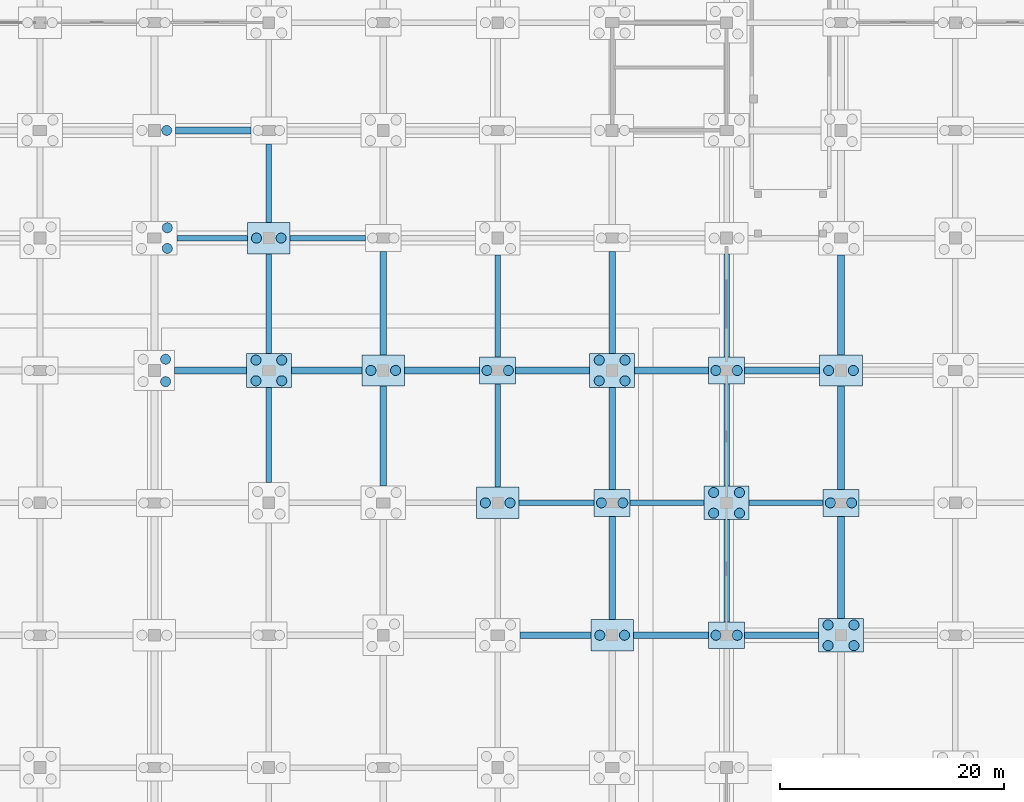
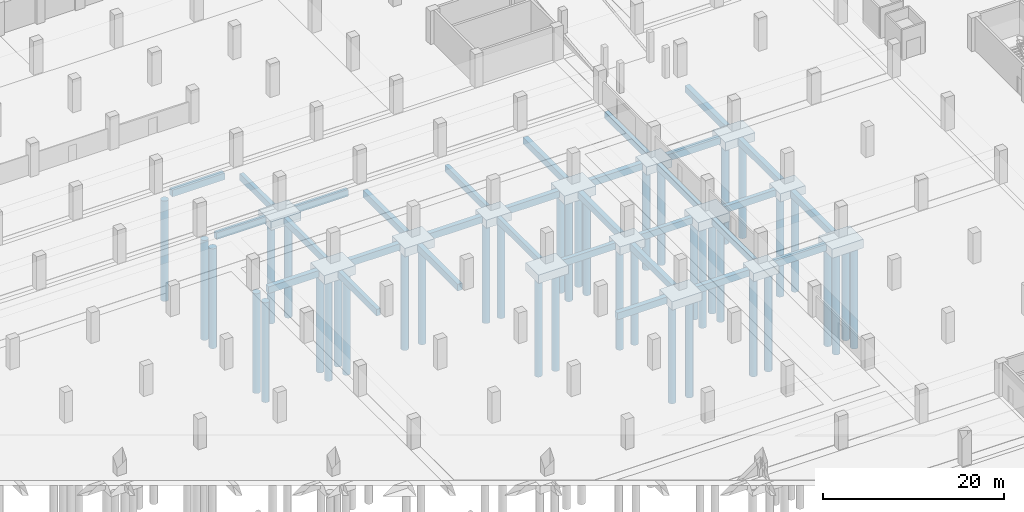
# One storey, part 8 of 52: 45 footings, 41 piles.
"""IFC4 building model written with IfcOpenShell, lengths in metres."""

from ifc_helpers import new_model, si_unit, direction, frame, origin, origin_2d, place, context, subcontext, project, spatial, polyline, rectangle, circle, outline, extrude, material, material_profile, profile_set, type_object, element, save


model = new_model("IFC4")

# Units and contexts
model_context = context("Model", 3, precision=1e-05, world=origin(), true_north=direction((0.0, 1.0)))
body_context = subcontext(model_context, "Body", "Model", "MODEL_VIEW")
ifc_project = project(units=[si_unit("LENGTHUNIT", "METRE"), si_unit("AREAUNIT", "SQUARE_METRE"), si_unit("VOLUMEUNIT", "CUBIC_METRE"), si_unit("PLANEANGLEUNIT", "RADIAN"), si_unit("MASSUNIT", "GRAM", prefix="KILO")], contexts=[model_context])

# Site, building, storey
site_placement = place(None, origin())
site = spatial("IfcSite", under=ifc_project, at=site_placement, CompositionType="ELEMENT")
building_placement = place(site_placement, origin())
building = spatial("IfcBuilding", under=site, at=building_placement, Name="Brelvane Convention Centre", CompositionType="ELEMENT")
storey_placement = place(building_placement, frame((0.0, 0.0, -4.5)))
storey = spatial("IfcBuildingStorey", under=building, at=storey_placement, Name="B1", CompositionType="ELEMENT", Elevation=-4.5)

# Piles
ifc_material_1 = material(Name="Concrete M40", Category="concrete")
ifc_material_profile_1 = material_profile(ifc_material_1, circle(Radius=0.449951171875, at=origin_2d()), Name="PILE D900")
ifc_profile_set_1 = profile_set([ifc_material_profile_1], Name="Concrete M40")
pile_type = type_object("IfcPileType", Name="Bored Pile PL-900", PredefinedType="BORED", material=ifc_profile_set_1)
for number, where, z_axis, x_axis, name in (
    (1, (62.199951171875, 86.800048828125, -1.550048828125), (0.0, 0.0, -1.0), (1.0, 0.0, 0.0), "Bored Pile PL-900 7-J-2"),
    (2, (62.199951171875, 88.800048828125, -1.550048828125), (0.0, 0.0, -1.0), (1.0, 0.0, 0.0), "Bored Pile PL-900 7-J-4"),
    (3, (62.35009765625, 98.679931640625, -1.550048828125), (0.0, 0.0, -1.0), (1.0, 0.0, 0.0), "Bored Pile PL-900 7-K-2"),
    (4, (62.35009765625, 100.52001953125, -1.550048828125), (0.0, 0.0, -1.0), (1.0, 0.0, 0.0), "Bored Pile PL-900 7-K-4"),
):
    element("IfcPile", number, at=place(storey_placement, frame(where, z_axis=z_axis, x_axis=x_axis)), inside=storey, type_object=pile_type, Name=name, PredefinedType="BORED", context=body_context, shape_type="SweptSolid", body=[
        extrude(circle(Radius=0.449951171875, at=origin_2d()), origin(), (0.0, 0.0, 1.0), 13.449951171875),
    ])
pile_placement = place(storey_placement, frame((62.300048828125, 109.199951171875, -1.5), z_axis=(0.0, 0.0, -1.0), x_axis=(1.0, 0.0, 0.0)))
element("IfcPile", 5, at=pile_placement, inside=storey, type_object=pile_type, Name="Bored Pile PL-900 7-L-2", PredefinedType="BORED", context=body_context, shape_type="SweptSolid", body=[
    extrude(circle(Radius=0.449951171875, at=origin_2d()), origin(), (0.0, 0.0, 1.0), 13.5),
])
for number, where, z_axis, x_axis, name in (
    (6, (70.25, 86.8798828125, -1.550048828125), (0.0, 0.0, -1.0), (1.0, 0.0, 0.0), "Bored Pile PL-900 8-J-1"),
    (7, (72.550048828125, 86.8798828125, -1.550048828125), (0.0, 0.0, -1.0), (1.0, 0.0, 0.0), "Bored Pile PL-900 8-J-2"),
    (8, (70.25, 88.719970703125, -1.550048828125), (0.0, 0.0, -1.0), (1.0, 0.0, 0.0), "Bored Pile PL-900 8-J-3"),
    (9, (72.550048828125, 88.719970703125, -1.550048828125), (0.0, 0.0, -1.0), (1.0, 0.0, 0.0), "Bored Pile PL-900 8-J-4"),
):
    element("IfcPile", number, at=place(storey_placement, frame(where, z_axis=z_axis, x_axis=x_axis)), inside=storey, type_object=pile_type, Name=name, PredefinedType="BORED", context=body_context, shape_type="SweptSolid", body=[
        extrude(circle(Radius=0.449951171875, at=origin_2d()), origin(), (0.0, 0.0, 1.0), 13.449951171875),
    ])
for number, where, z_axis, x_axis, name in (
    (10, (70.300048828125, 99.60009765625, -1.5), (0.0, 0.0, -1.0), (1.0, 0.0, 0.0), "Bored Pile PL-900 8-K-1"),
    (11, (72.5, 99.60009765625, -1.5), (0.0, 0.0, -1.0), (1.0, 0.0, 0.0), "Bored Pile PL-900 8-K-2"),
    (12, (80.5, 87.800048828125, -1.5), (0.0, 0.0, -1.0), (1.0, 0.0, 0.0), "Bored Pile PL-900 9-J-1"),
    (13, (82.699951171875, 87.800048828125, -1.5), (0.0, 0.0, -1.0), (1.0, 0.0, 0.0), "Bored Pile PL-900 9-J-2"),
    (14, (90.699951171875, 76.0, -1.5), (0.0, 0.0, -1.0), (1.0, 0.0, 0.0), "Bored Pile PL-900 10-H-1"),
    (15, (92.89990234375, 76.0, -1.5), (0.0, 0.0, -1.0), (1.0, 0.0, 0.0), "Bored Pile PL-900 10-H-2"),
):
    element("IfcPile", number, at=place(storey_placement, frame(where, z_axis=z_axis, x_axis=x_axis)), inside=storey, type_object=pile_type, Name=name, PredefinedType="BORED", context=body_context, shape_type="SweptSolid", body=[
        extrude(circle(Radius=0.449951171875, at=origin_2d()), origin(), (0.0, 0.0, 1.0), 13.5),
    ])
for number, where, z_axis, x_axis, name in (
    (16, (90.85009765625, 87.800048828125, -1.449951171875), (0.0, 0.0, -1.0), (1.0, 0.0, 0.0), "Bored Pile PL-900 10-J-1"),
    (17, (92.75, 87.800048828125, -1.449951171875), (0.0, 0.0, -1.0), (1.0, 0.0, 0.0), "Bored Pile PL-900 10-J-2"),
):
    element("IfcPile", number, at=place(storey_placement, frame(where, z_axis=z_axis, x_axis=x_axis)), inside=storey, type_object=pile_type, Name=name, PredefinedType="BORED", context=body_context, shape_type="SweptSolid", body=[
        extrude(circle(Radius=0.449951171875, at=origin_2d()), origin(), (0.0, 0.0, 1.0), 13.550048828125),
    ])
for number, where, z_axis, x_axis, name in (
    (18, (100.89990234375, 64.199951171875, -1.5), (0.0, 0.0, -1.0), (1.0, 0.0, 0.0), "Bored Pile PL-900 11-G-1"),
    (19, (103.10009765625, 64.199951171875, -1.5), (0.0, 0.0, -1.0), (1.0, 0.0, 0.0), "Bored Pile PL-900 11-G-2"),
):
    element("IfcPile", number, at=place(storey_placement, frame(where, z_axis=z_axis, x_axis=x_axis)), inside=storey, type_object=pile_type, Name=name, PredefinedType="BORED", context=body_context, shape_type="SweptSolid", body=[
        extrude(circle(Radius=0.449951171875, at=origin_2d()), origin(), (0.0, 0.0, 1.0), 13.5),
    ])
for number, where, z_axis, x_axis, name in (
    (20, (101.050048828125, 76.0, -1.449951171875), (0.0, 0.0, -1.0), (1.0, 0.0, 0.0), "Bored Pile PL-900 11-H-1"),
    (21, (102.949951171875, 76.0, -1.449951171875), (0.0, 0.0, -1.0), (1.0, 0.0, 0.0), "Bored Pile PL-900 11-H-2"),
):
    element("IfcPile", number, at=place(storey_placement, frame(where, z_axis=z_axis, x_axis=x_axis)), inside=storey, type_object=pile_type, Name=name, PredefinedType="BORED", context=body_context, shape_type="SweptSolid", body=[
        extrude(circle(Radius=0.449951171875, at=origin_2d()), origin(), (0.0, 0.0, 1.0), 13.550048828125),
    ])
for number, where, z_axis, x_axis, name in (
    (22, (100.85009765625, 86.8798828125, -1.550048828125), (0.0, 0.0, -1.0), (1.0, 0.0, 0.0), "Bored Pile PL-900 11-J-1"),
    (23, (103.14990234375, 86.8798828125, -1.550048828125), (0.0, 0.0, -1.0), (1.0, 0.0, 0.0), "Bored Pile PL-900 11-J-2"),
    (24, (100.85009765625, 88.719970703125, -1.550048828125), (0.0, 0.0, -1.0), (1.0, 0.0, 0.0), "Bored Pile PL-900 11-J-3"),
    (25, (103.14990234375, 88.719970703125, -1.550048828125), (0.0, 0.0, -1.0), (1.0, 0.0, 0.0), "Bored Pile PL-900 11-J-4"),
):
    element("IfcPile", number, at=place(storey_placement, frame(where, z_axis=z_axis, x_axis=x_axis)), inside=storey, type_object=pile_type, Name=name, PredefinedType="BORED", context=body_context, shape_type="SweptSolid", body=[
        extrude(circle(Radius=0.449951171875, at=origin_2d()), origin(), (0.0, 0.0, 1.0), 13.449951171875),
    ])
for number, where, z_axis, x_axis, name in (
    (26, (111.25, 64.199951171875, -1.449951171875), (0.0, 0.0, -1.0), (1.0, 0.0, 0.0), "Bored Pile PL-900 12-G-1"),
    (27, (113.14990234375, 64.199951171875, -1.449951171875), (0.0, 0.0, -1.0), (1.0, 0.0, 0.0), "Bored Pile PL-900 12-G-2"),
):
    element("IfcPile", number, at=place(storey_placement, frame(where, z_axis=z_axis, x_axis=x_axis)), inside=storey, type_object=pile_type, Name=name, PredefinedType="BORED", context=body_context, shape_type="SweptSolid", body=[
        extrude(circle(Radius=0.449951171875, at=origin_2d()), origin(), (0.0, 0.0, 1.0), 13.550048828125),
    ])
for number, where, z_axis, x_axis, name in (
    (28, (111.050048828125, 75.080078125, -1.550048828125), (0.0, 0.0, -1.0), (1.0, 0.0, 0.0), "Bored Pile PL-900 12-H-1"),
    (29, (113.35009765625, 75.080078125, -1.550048828125), (0.0, 0.0, -1.0), (1.0, 0.0, 0.0), "Bored Pile PL-900 12-H-2"),
    (30, (111.050048828125, 76.919921875, -1.550048828125), (0.0, 0.0, -1.0), (1.0, 0.0, 0.0), "Bored Pile PL-900 12-H-3"),
    (31, (113.35009765625, 76.919921875, -1.550048828125), (0.0, 0.0, -1.0), (1.0, 0.0, 0.0), "Bored Pile PL-900 12-H-4"),
):
    element("IfcPile", number, at=place(storey_placement, frame(where, z_axis=z_axis, x_axis=x_axis)), inside=storey, type_object=pile_type, Name=name, PredefinedType="BORED", context=body_context, shape_type="SweptSolid", body=[
        extrude(circle(Radius=0.449951171875, at=origin_2d()), origin(), (0.0, 0.0, 1.0), 13.449951171875),
    ])
for number, where, z_axis, x_axis, name in (
    (32, (111.25, 87.800048828125, -1.449951171875), (0.0, 0.0, -1.0), (1.0, 0.0, 0.0), "Bored Pile PL-900 12-J-1"),
    (33, (113.14990234375, 87.800048828125, -1.449951171875), (0.0, 0.0, -1.0), (1.0, 0.0, 0.0), "Bored Pile PL-900 12-J-2"),
):
    element("IfcPile", number, at=place(storey_placement, frame(where, z_axis=z_axis, x_axis=x_axis)), inside=storey, type_object=pile_type, Name=name, PredefinedType="BORED", context=body_context, shape_type="SweptSolid", body=[
        extrude(circle(Radius=0.449951171875, at=origin_2d()), origin(), (0.0, 0.0, 1.0), 13.550048828125),
    ])
for number, where, z_axis, x_axis, name in (
    (34, (121.25, 63.280029296875, -1.550048828125), (0.0, 0.0, -1.0), (1.0, 0.0, 0.0), "Bored Pile PL-900 13-G-1"),
    (35, (123.550048828125, 63.280029296875, -1.550048828125), (0.0, 0.0, -1.0), (1.0, 0.0, 0.0), "Bored Pile PL-900 13-G-2"),
    (36, (121.25, 65.1201171875, -1.550048828125), (0.0, 0.0, -1.0), (1.0, 0.0, 0.0), "Bored Pile PL-900 13-G-3"),
    (37, (123.550048828125, 65.1201171875, -1.550048828125), (0.0, 0.0, -1.0), (1.0, 0.0, 0.0), "Bored Pile PL-900 13-G-4"),
):
    element("IfcPile", number, at=place(storey_placement, frame(where, z_axis=z_axis, x_axis=x_axis)), inside=storey, type_object=pile_type, Name=name, PredefinedType="BORED", context=body_context, shape_type="SweptSolid", body=[
        extrude(circle(Radius=0.449951171875, at=origin_2d()), origin(), (0.0, 0.0, 1.0), 13.449951171875),
    ])
for number, where, z_axis, x_axis, name in (
    (38, (121.449951171875, 76.0, -1.449951171875), (0.0, 0.0, -1.0), (1.0, 0.0, 0.0), "Bored Pile PL-900 13-H-1"),
    (39, (123.35009765625, 76.0, -1.449951171875), (0.0, 0.0, -1.0), (1.0, 0.0, 0.0), "Bored Pile PL-900 13-H-2"),
):
    element("IfcPile", number, at=place(storey_placement, frame(where, z_axis=z_axis, x_axis=x_axis)), inside=storey, type_object=pile_type, Name=name, PredefinedType="BORED", context=body_context, shape_type="SweptSolid", body=[
        extrude(circle(Radius=0.449951171875, at=origin_2d()), origin(), (0.0, 0.0, 1.0), 13.550048828125),
    ])
for number, where, z_axis, x_axis, name in (
    (40, (121.300048828125, 87.800048828125, -1.5), (0.0, 0.0, -1.0), (1.0, 0.0, 0.0), "Bored Pile PL-900 13-J-1"),
    (41, (123.5, 87.800048828125, -1.5), (0.0, 0.0, -1.0), (1.0, 0.0, 0.0), "Bored Pile PL-900 13-J-2"),
):
    element("IfcPile", number, at=place(storey_placement, frame(where, z_axis=z_axis, x_axis=x_axis)), inside=storey, type_object=pile_type, Name=name, PredefinedType="BORED", context=body_context, shape_type="SweptSolid", body=[
        extrude(circle(Radius=0.449951171875, at=origin_2d()), origin(), (0.0, 0.0, 1.0), 13.5),
    ])

# Footings
ifc_material_2 = material(Name="Concrete M40", Category="concrete")
ifc_material_profile_2 = material_profile(ifc_material_2, rectangle(XDim=0.60009765625, YDim=0.89990234375, at=origin_2d()), Name="RC 600x900")
ifc_profile_set_2 = profile_set([ifc_material_profile_2], Name="Concrete M40")
footing_type_1 = type_object("IfcFootingType", Name="Ground Tie Beam GB-1", PredefinedType="FOOTING_BEAM", material=ifc_profile_set_2)
footing_1_placement = place(storey_placement, frame((63.0, 87.800048828125, -0.89990234375), z_axis=(1.0, 0.0, 0.0), x_axis=(0.0, 1.0, 0.0)))
element("IfcFooting", 42, at=footing_1_placement, inside=storey, type_object=footing_type_1, Name="Ground Tie Beam GB-1 7-8/J", PredefinedType="FOOTING_BEAM", context=body_context, shape_type="SweptSolid", body=[
    extrude(rectangle(XDim=0.60009765625, YDim=0.89990234375, at=origin_2d()), origin(), (0.0, 0.0, 1.0), 6.39990234375),
])
footing_2_placement = place(storey_placement, frame((63.10009765625, 109.199951171875, -0.89990234375), z_axis=(1.0, 0.0, 0.0), x_axis=(0.0, 1.0, 0.0)))
element("IfcFooting", 43, at=footing_2_placement, inside=storey, type_object=footing_type_1, Name="Ground Tie Beam GB-1 7-8/L", PredefinedType="FOOTING_BEAM", context=body_context, shape_type="SweptSolid", body=[
    extrude(rectangle(XDim=0.60009765625, YDim=0.89990234375, at=origin_2d()), origin(), (0.0, 0.0, 1.0), 6.699951171875),
])
footing_3_placement = place(storey_placement, frame((73.39990234375, 87.800048828125, -0.89990234375), z_axis=(1.0, 0.0, 0.0), x_axis=(0.0, 1.0, 0.0)))
element("IfcFooting", 44, at=footing_3_placement, inside=storey, type_object=footing_type_1, Name="Ground Tie Beam GB-1 8-9/J", PredefinedType="FOOTING_BEAM", context=body_context, shape_type="SweptSolid", body=[
    extrude(rectangle(XDim=0.60009765625, YDim=0.89990234375, at=origin_2d()), origin(), (0.0, 0.0, 1.0), 6.300048828125),
])
footing_4_placement = place(storey_placement, frame((81.60009765625, 77.5, -0.89990234375), z_axis=(0.0, 1.0, 0.0), x_axis=(-1.0, 0.0, 0.0)))
element("IfcFooting", 45, at=footing_4_placement, inside=storey, type_object=footing_type_1, Name="Ground Tie Beam GB-1 9/H-J", PredefinedType="FOOTING_BEAM", context=body_context, shape_type="SweptSolid", body=[
    extrude(rectangle(XDim=0.60009765625, YDim=0.89990234375, at=origin_2d()), origin(), (0.0, 0.0, 1.0), 8.89990234375),
])
footing_5_placement = place(storey_placement, frame((83.5, 87.800048828125, -0.89990234375), z_axis=(1.0, 0.0, 0.0), x_axis=(0.0, 1.0, 0.0)))
element("IfcFooting", 46, at=footing_5_placement, inside=storey, type_object=footing_type_1, Name="Ground Tie Beam GB-1 9-10/J", PredefinedType="FOOTING_BEAM", context=body_context, shape_type="SweptSolid", body=[
    extrude(rectangle(XDim=0.60009765625, YDim=0.89990234375, at=origin_2d()), origin(), (0.0, 0.0, 1.0), 6.699951171875),
])
footing_6_placement = place(storey_placement, frame((81.60009765625, 89.199951171875, -0.89990234375), z_axis=(0.0, 1.0, 0.0), x_axis=(-1.0, 0.0, 0.0)))
element("IfcFooting", 47, at=footing_6_placement, inside=storey, type_object=footing_type_1, Name="Ground Tie Beam GB-1 9/J-K", PredefinedType="FOOTING_BEAM", context=body_context, shape_type="SweptSolid", body=[
    extrude(rectangle(XDim=0.60009765625, YDim=0.89990234375, at=origin_2d()), origin(), (0.0, 0.0, 1.0), 9.199951171875),
])
footing_7_placement = place(storey_placement, frame((93.800048828125, 64.199951171875, -0.89990234375), z_axis=(1.0, 0.0, 0.0), x_axis=(0.0, 1.0, 0.0)))
element("IfcFooting", 48, at=footing_7_placement, inside=storey, type_object=footing_type_1, Name="Ground Tie Beam GB-1 10-11/G", PredefinedType="FOOTING_BEAM", context=body_context, shape_type="SweptSolid", body=[
    extrude(rectangle(XDim=0.60009765625, YDim=0.89990234375, at=origin_2d()), origin(), (0.0, 0.0, 1.0), 6.300048828125),
])
footing_8_placement = place(storey_placement, frame((93.39990234375, 87.800048828125, -0.89990234375), z_axis=(1.0, 0.0, 0.0), x_axis=(0.0, 1.0, 0.0)))
element("IfcFooting", 49, at=footing_8_placement, inside=storey, type_object=footing_type_1, Name="Ground Tie Beam GB-1 10-11/J", PredefinedType="FOOTING_BEAM", context=body_context, shape_type="SweptSolid", body=[
    extrude(rectangle(XDim=0.60009765625, YDim=0.89990234375, at=origin_2d()), origin(), (0.0, 0.0, 1.0), 6.60009765625),
])
footing_9_placement = place(storey_placement, frame((103.89990234375, 64.199951171875, -0.89990234375), z_axis=(1.0, 0.0, 0.0), x_axis=(0.0, 1.0, 0.0)))
element("IfcFooting", 50, at=footing_9_placement, inside=storey, type_object=footing_type_1, Name="Ground Tie Beam GB-1 11-12/G", PredefinedType="FOOTING_BEAM", context=body_context, shape_type="SweptSolid", body=[
    extrude(rectangle(XDim=0.60009765625, YDim=0.89990234375, at=origin_2d()), origin(), (0.0, 0.0, 1.0), 6.7001953125),
])
footing_10_placement = place(storey_placement, frame((102.0, 65.60009765625, -0.89990234375), z_axis=(0.0, 1.0, 0.0), x_axis=(-1.0, 0.0, 0.0)))
element("IfcFooting", 51, at=footing_10_placement, inside=storey, type_object=footing_type_1, Name="Ground Tie Beam GB-1 11/G-H", PredefinedType="FOOTING_BEAM", context=body_context, shape_type="SweptSolid", body=[
    extrude(rectangle(XDim=0.60009765625, YDim=0.89990234375, at=origin_2d()), origin(), (0.0, 0.0, 1.0), 9.199951171875),
])
footing_11_placement = place(storey_placement, frame((102.0, 77.199951171875, -0.89990234375), z_axis=(0.0, 1.0, 0.0), x_axis=(-1.0, 0.0, 0.0)))
element("IfcFooting", 52, at=footing_11_placement, inside=storey, type_object=footing_type_1, Name="Ground Tie Beam GB-1 11/H-J", PredefinedType="FOOTING_BEAM", context=body_context, shape_type="SweptSolid", body=[
    extrude(rectangle(XDim=0.60009765625, YDim=0.89990234375, at=origin_2d()), origin(), (0.0, 0.0, 1.0), 9.10009765625),
])
footing_12_placement = place(storey_placement, frame((104.0, 87.800048828125, -0.89990234375), z_axis=(1.0, 0.0, 0.0), x_axis=(0.0, 1.0, 0.0)))
element("IfcFooting", 53, at=footing_12_placement, inside=storey, type_object=footing_type_1, Name="Ground Tie Beam GB-1 11-12/J", PredefinedType="FOOTING_BEAM", context=body_context, shape_type="SweptSolid", body=[
    extrude(rectangle(XDim=0.60009765625, YDim=0.89990234375, at=origin_2d()), origin(), (0.0, 0.0, 1.0), 6.60009765625),
])
footing_13_placement = place(storey_placement, frame((102.0, 89.300048828125, -0.89990234375), z_axis=(0.0, 1.0, 0.0), x_axis=(-1.0, 0.0, 0.0)))
element("IfcFooting", 54, at=footing_13_placement, inside=storey, type_object=footing_type_1, Name="Ground Tie Beam GB-1 11/J-K", PredefinedType="FOOTING_BEAM", context=body_context, shape_type="SweptSolid", body=[
    extrude(rectangle(XDim=0.60009765625, YDim=0.89990234375, at=origin_2d()), origin(), (0.0, 0.0, 1.0), 9.099853515625),
])
footing_14_placement = place(storey_placement, frame((113.800048828125, 64.199951171875, -0.89990234375), z_axis=(1.0, 0.0, 0.0), x_axis=(0.0, 1.0, 0.0)))
element("IfcFooting", 55, at=footing_14_placement, inside=storey, type_object=footing_type_1, Name="Ground Tie Beam GB-1 12-13/G", PredefinedType="FOOTING_BEAM", context=body_context, shape_type="SweptSolid", body=[
    extrude(rectangle(XDim=0.60009765625, YDim=0.89990234375, at=origin_2d()), origin(), (0.0, 0.0, 1.0), 6.599853515625),
])
footing_15_placement = place(storey_placement, frame((113.800048828125, 87.800048828125, -0.89990234375), z_axis=(1.0, 0.0, 0.0), x_axis=(0.0, 1.0, 0.0)))
element("IfcFooting", 56, at=footing_15_placement, inside=storey, type_object=footing_type_1, Name="Ground Tie Beam GB-1 12-13/J", PredefinedType="FOOTING_BEAM", context=body_context, shape_type="SweptSolid", body=[
    extrude(rectangle(XDim=0.60009765625, YDim=0.89990234375, at=origin_2d()), origin(), (0.0, 0.0, 1.0), 6.699951171875),
])
footing_16_placement = place(storey_placement, frame((122.39990234375, 65.699951171875, -0.89990234375), z_axis=(0.0, 1.0, 0.0), x_axis=(-1.0, 0.0, 0.0)))
element("IfcFooting", 57, at=footing_16_placement, inside=storey, type_object=footing_type_1, Name="Ground Tie Beam GB-1 13/G-H", PredefinedType="FOOTING_BEAM", context=body_context, shape_type="SweptSolid", body=[
    extrude(rectangle(XDim=0.60009765625, YDim=0.89990234375, at=origin_2d()), origin(), (0.0, 0.0, 1.0), 9.10009765625),
])
footing_17_placement = place(storey_placement, frame((122.39990234375, 77.199951171875, -0.89990234375), z_axis=(0.0, 1.0, 0.0), x_axis=(-1.0, 0.0, 0.0)))
element("IfcFooting", 58, at=footing_17_placement, inside=storey, type_object=footing_type_1, Name="Ground Tie Beam GB-1 13/H-J", PredefinedType="FOOTING_BEAM", context=body_context, shape_type="SweptSolid", body=[
    extrude(rectangle(XDim=0.60009765625, YDim=0.89990234375, at=origin_2d()), origin(), (0.0, 0.0, 1.0), 9.199951171875),
])
footing_18_placement = place(storey_placement, frame((122.39990234375, 89.199951171875, -0.89990234375), z_axis=(0.0, 1.0, 0.0), x_axis=(-1.0, 0.0, 0.0)))
element("IfcFooting", 59, at=footing_18_placement, inside=storey, type_object=footing_type_1, Name="Ground Tie Beam GB-1 13/J-K", PredefinedType="FOOTING_BEAM", context=body_context, shape_type="SweptSolid", body=[
    extrude(rectangle(XDim=0.60009765625, YDim=0.89990234375, at=origin_2d()), origin(), (0.0, 0.0, 1.0), 8.900146484375),
])
ifc_material_3 = material(Name="Concrete M40", Category="concrete")
ifc_material_profile_3 = material_profile(ifc_material_3, rectangle(XDim=0.5, YDim=0.89990234375, at=origin_2d()), Name="RC 500x900")
ifc_profile_set_3 = profile_set([ifc_material_profile_3], Name="Concrete M40")
footing_type_2 = type_object("IfcFootingType", Name="Ground Tie Beam GB-2", PredefinedType="FOOTING_BEAM", material=ifc_profile_set_3)
footing_19_placement = place(storey_placement, frame((63.199951171875, 99.60009765625, -0.89990234375), z_axis=(1.0, 0.0, 0.0), x_axis=(0.0, 1.0, 0.0)))
element("IfcFooting", 60, at=footing_19_placement, inside=storey, type_object=footing_type_2, Name="Ground Tie Beam GB-2 7-8/K", PredefinedType="FOOTING_BEAM", context=body_context, shape_type="SweptSolid", body=[
    extrude(rectangle(XDim=0.5, YDim=0.89990234375, at=origin_2d()), origin(), (0.0, 0.0, 1.0), 6.300048828125),
])
footing_20_placement = place(storey_placement, frame((71.39990234375, 77.800048828125, -0.89990234375), z_axis=(0.0, 1.0, 0.0), x_axis=(-1.0, 0.0, 0.0)))
element("IfcFooting", 61, at=footing_20_placement, inside=storey, type_object=footing_type_2, Name="Ground Tie Beam GB-2 8/H-J", PredefinedType="FOOTING_BEAM", context=body_context, shape_type="SweptSolid", body=[
    extrude(rectangle(XDim=0.5, YDim=0.89990234375, at=origin_2d()), origin(), (0.0, 0.0, 1.0), 8.5),
])
footing_21_placement = place(storey_placement, frame((71.39990234375, 89.300048828125, -0.89990234375), z_axis=(0.0, 1.0, 0.0), x_axis=(-1.0, 0.0, 0.0)))
element("IfcFooting", 62, at=footing_21_placement, inside=storey, type_object=footing_type_2, Name="Ground Tie Beam GB-2 8/J-K", PredefinedType="FOOTING_BEAM", context=body_context, shape_type="SweptSolid", body=[
    extrude(rectangle(XDim=0.5, YDim=0.89990234375, at=origin_2d()), origin(), (0.0, 0.0, 1.0), 8.89990234375),
])
footing_22_placement = place(storey_placement, frame((73.300048828125, 99.60009765625, -0.89990234375), z_axis=(1.0, 0.0, 0.0), x_axis=(0.0, 1.0, 0.0)))
element("IfcFooting", 63, at=footing_22_placement, inside=storey, type_object=footing_type_2, Name="Ground Tie Beam GB-2 8-9/K", PredefinedType="FOOTING_BEAM", context=body_context, shape_type="SweptSolid", body=[
    extrude(rectangle(XDim=0.5, YDim=0.89990234375, at=origin_2d()), origin(), (0.0, 0.0, 1.0), 6.699951171875),
])
footing_23_placement = place(storey_placement, frame((71.39990234375, 101.0, -0.89990234375), z_axis=(0.0, 1.0, 0.0), x_axis=(-1.0, 0.0, 0.0)))
element("IfcFooting", 64, at=footing_23_placement, inside=storey, type_object=footing_type_2, Name="Ground Tie Beam GB-2 8/K-L", PredefinedType="FOOTING_BEAM", context=body_context, shape_type="SweptSolid", body=[
    extrude(rectangle(XDim=0.5, YDim=0.89990234375, at=origin_2d()), origin(), (0.0, 0.0, 1.0), 7.0),
])
footing_24_placement = place(storey_placement, frame((93.699951171875, 76.0, -0.89990234375), z_axis=(1.0, 0.0, 0.0), x_axis=(0.0, 1.0, 0.0)))
element("IfcFooting", 65, at=footing_24_placement, inside=storey, type_object=footing_type_2, Name="Ground Tie Beam GB-2 10-11/H", PredefinedType="FOOTING_BEAM", context=body_context, shape_type="SweptSolid", body=[
    extrude(rectangle(XDim=0.5, YDim=0.89990234375, at=origin_2d()), origin(), (0.0, 0.0, 1.0), 6.699951171875),
])
footing_25_placement = place(storey_placement, frame((91.800048828125, 77.39990234375, -0.89990234375), z_axis=(0.0, 1.0, 0.0), x_axis=(-1.0, 0.0, 0.0)))
element("IfcFooting", 66, at=footing_25_placement, inside=storey, type_object=footing_type_2, Name="Ground Tie Beam GB-2 10/H-J", PredefinedType="FOOTING_BEAM", context=body_context, shape_type="SweptSolid", body=[
    extrude(rectangle(XDim=0.5, YDim=0.89990234375, at=origin_2d()), origin(), (0.0, 0.0, 1.0), 9.2001953125),
])
footing_26_placement = place(storey_placement, frame((91.800048828125, 89.0, -0.89990234375), z_axis=(0.0, 1.0, 0.0), x_axis=(-1.0, 0.0, 0.0)))
element("IfcFooting", 67, at=footing_26_placement, inside=storey, type_object=footing_type_2, Name="Ground Tie Beam GB-2 10/J-K", PredefinedType="FOOTING_BEAM", context=body_context, shape_type="SweptSolid", body=[
    extrude(rectangle(XDim=0.5, YDim=0.89990234375, at=origin_2d()), origin(), (0.0, 0.0, 1.0), 9.10009765625),
])
footing_27_placement = place(storey_placement, frame((103.60009765625, 76.0, -0.89990234375), z_axis=(1.0, 0.0, 0.0), x_axis=(0.0, 1.0, 0.0)))
element("IfcFooting", 68, at=footing_27_placement, inside=storey, type_object=footing_type_2, Name="Ground Tie Beam GB-2 11-12/H", PredefinedType="FOOTING_BEAM", context=body_context, shape_type="SweptSolid", body=[
    extrude(rectangle(XDim=0.5, YDim=0.89990234375, at=origin_2d()), origin(), (0.0, 0.0, 1.0), 6.599853515625),
])
footing_28_placement = place(storey_placement, frame((112.199951171875, 65.39990234375, -0.89990234375), z_axis=(0.0, 1.0, 0.0), x_axis=(-1.0, 0.0, 0.0)))
element("IfcFooting", 69, at=footing_28_placement, inside=storey, type_object=footing_type_2, Name="Ground Tie Beam GB-2 12/G-H", PredefinedType="FOOTING_BEAM", context=body_context, shape_type="SweptSolid", body=[
    extrude(rectangle(XDim=0.5, YDim=0.89990234375, at=origin_2d()), origin(), (0.0, 0.0, 1.0), 9.10009765625),
])
footing_29_placement = place(storey_placement, frame((114.199951171875, 76.0, -0.89990234375), z_axis=(1.0, 0.0, 0.0), x_axis=(0.0, 1.0, 0.0)))
element("IfcFooting", 70, at=footing_29_placement, inside=storey, type_object=footing_type_2, Name="Ground Tie Beam GB-2 12-13/H", PredefinedType="FOOTING_BEAM", context=body_context, shape_type="SweptSolid", body=[
    extrude(rectangle(XDim=0.5, YDim=0.89990234375, at=origin_2d()), origin(), (0.0, 0.0, 1.0), 6.60009765625),
])
footing_30_placement = place(storey_placement, frame((112.199951171875, 77.5, -0.89990234375), z_axis=(0.0, 1.0, 0.0), x_axis=(-1.0, 0.0, 0.0)))
element("IfcFooting", 71, at=footing_30_placement, inside=storey, type_object=footing_type_2, Name="Ground Tie Beam GB-2 12/H-J", PredefinedType="FOOTING_BEAM", context=body_context, shape_type="SweptSolid", body=[
    extrude(rectangle(XDim=0.5, YDim=0.89990234375, at=origin_2d()), origin(), (0.0, 0.0, 1.0), 9.10009765625),
])
footing_31_placement = place(storey_placement, frame((112.199951171875, 89.0, -0.89990234375), z_axis=(0.0, 1.0, 0.0), x_axis=(-1.0, 0.0, 0.0)))
element("IfcFooting", 72, at=footing_31_placement, inside=storey, type_object=footing_type_2, Name="Ground Tie Beam GB-2 12/J-K", PredefinedType="FOOTING_BEAM", context=body_context, shape_type="SweptSolid", body=[
    extrude(rectangle(XDim=0.5, YDim=0.89990234375, at=origin_2d()), origin(), (0.0, 0.0, 1.0), 9.199951171875),
])
ifc_material_4 = material(Name="Concrete M40", Category="concrete")
footing_type_3 = type_object("IfcFootingType", Name="Pile Cap PC-2", PredefinedType="PILE_CAP", material=ifc_material_4)
footing_32_placement = place(storey_placement, frame((0.0, 0.0, -1.550048828125)))
element("IfcFooting", 73, at=footing_32_placement, inside=storey, type_object=footing_type_3, Name="Pile Cap PC-2 at 10-J", PredefinedType="PILE_CAP", context=body_context, shape_type="SweptSolid", body=[
    extrude(outline(polyline([(90.199951171875, 86.60009765625), (93.39990234375, 86.60009765625), (93.39990234375, 89.0), (90.199951171875, 89.0), (90.199951171875, 86.60009765625)])), origin(), (0.0, 0.0, 1.0), 1.10009765625),
])
footing_33_placement = place(storey_placement, frame((0.0, 0.0, -1.550048828125)))
element("IfcFooting", 74, at=footing_33_placement, inside=storey, type_object=footing_type_3, Name="Pile Cap PC-2 at 11-H", PredefinedType="PILE_CAP", context=body_context, shape_type="SweptSolid", body=[
    extrude(outline(polyline([(100.39990234375, 74.800048828125), (103.60009765625, 74.800048828125), (103.60009765625, 77.199951171875), (100.39990234375, 77.199951171875), (100.39990234375, 74.800048828125)])), origin(), (0.0, 0.0, 1.0), 1.10009765625),
])
footing_34_placement = place(storey_placement, frame((0.0, 0.0, -1.550048828125)))
element("IfcFooting", 75, at=footing_34_placement, inside=storey, type_object=footing_type_3, Name="Pile Cap PC-2 at 12-G", PredefinedType="PILE_CAP", context=body_context, shape_type="SweptSolid", body=[
    extrude(outline(polyline([(110.60009765625, 63.0), (113.800048828125, 63.0), (113.800048828125, 65.39990234375), (110.60009765625, 65.39990234375), (110.60009765625, 63.0)])), origin(), (0.0, 0.0, 1.0), 1.10009765625),
])
footing_35_placement = place(storey_placement, frame((0.0, 0.0, -1.550048828125)))
element("IfcFooting", 76, at=footing_35_placement, inside=storey, type_object=footing_type_3, Name="Pile Cap PC-2 at 12-J", PredefinedType="PILE_CAP", context=body_context, shape_type="SweptSolid", body=[
    extrude(outline(polyline([(110.60009765625, 86.60009765625), (113.800048828125, 86.60009765625), (113.800048828125, 89.0), (110.60009765625, 89.0), (110.60009765625, 86.60009765625)])), origin(), (0.0, 0.0, 1.0), 1.10009765625),
])
footing_36_placement = place(storey_placement, frame((0.0, 0.0, -1.550048828125)))
element("IfcFooting", 77, at=footing_36_placement, inside=storey, type_object=footing_type_3, Name="Pile Cap PC-2 at 13-H", PredefinedType="PILE_CAP", context=body_context, shape_type="SweptSolid", body=[
    extrude(outline(polyline([(120.800048828125, 74.800048828125), (124.0, 74.800048828125), (124.0, 77.199951171875), (120.800048828125, 77.199951171875), (120.800048828125, 74.800048828125)])), origin(), (0.0, 0.0, 1.0), 1.10009765625),
])
ifc_material_5 = material(Name="Concrete M40", Category="concrete")
footing_type_4 = type_object("IfcFootingType", Name="Pile Cap PC-4", PredefinedType="PILE_CAP", material=ifc_material_5)
footing_37_placement = place(storey_placement, frame((0.0, 0.0, -1.64990234375)))
element("IfcFooting", 78, at=footing_37_placement, inside=storey, type_object=footing_type_4, Name="Pile Cap PC-4 at 8-J", PredefinedType="PILE_CAP", context=body_context, shape_type="SweptSolid", body=[
    extrude(outline(polyline([(69.39990234375, 86.300048828125), (73.39990234375, 86.300048828125), (73.39990234375, 89.300048828125), (69.39990234375, 89.300048828125), (69.39990234375, 86.300048828125)])), origin(), (0.0, 0.0, 1.0), 1.199951171875),
])
footing_38_placement = place(storey_placement, frame((0.0, 0.0, -1.64990234375)))
element("IfcFooting", 79, at=footing_38_placement, inside=storey, type_object=footing_type_4, Name="Pile Cap PC-4 at 11-J", PredefinedType="PILE_CAP", context=body_context, shape_type="SweptSolid", body=[
    extrude(outline(polyline([(100.0, 86.300048828125), (104.0, 86.300048828125), (104.0, 89.300048828125), (100.0, 89.300048828125), (100.0, 86.300048828125)])), origin(), (0.0, 0.0, 1.0), 1.199951171875),
])
footing_39_placement = place(storey_placement, frame((0.0, 0.0, -1.64990234375)))
element("IfcFooting", 80, at=footing_39_placement, inside=storey, type_object=footing_type_4, Name="Pile Cap PC-4 at 12-H", PredefinedType="PILE_CAP", context=body_context, shape_type="SweptSolid", body=[
    extrude(outline(polyline([(110.199951171875, 74.5), (114.199951171875, 74.5), (114.199951171875, 77.5), (110.199951171875, 77.5), (110.199951171875, 74.5)])), origin(), (0.0, 0.0, 1.0), 1.199951171875),
])
footing_40_placement = place(storey_placement, frame((0.0, 0.0, -1.64990234375)))
element("IfcFooting", 81, at=footing_40_placement, inside=storey, type_object=footing_type_4, Name="Pile Cap PC-4 at 13-G", PredefinedType="PILE_CAP", context=body_context, shape_type="SweptSolid", body=[
    extrude(outline(polyline([(120.39990234375, 62.699951171875), (124.39990234375, 62.699951171875), (124.39990234375, 65.699951171875), (120.39990234375, 65.699951171875), (120.39990234375, 62.699951171875)])), origin(), (0.0, 0.0, 1.0), 1.199951171875),
])
ifc_material_6 = material(Name="Concrete M40", Category="concrete")
footing_type_5 = type_object("IfcFootingType", Name="Pile Cap PC-9", PredefinedType="PILE_CAP", material=ifc_material_6)
footing_41_placement = place(storey_placement, frame((0.0, 0.0, -1.60009765625)))
element("IfcFooting", 82, at=footing_41_placement, inside=storey, type_object=footing_type_5, Name="Pile Cap PC-9 at 8-K", PredefinedType="PILE_CAP", context=body_context, shape_type="SweptSolid", body=[
    extrude(outline(polyline([(69.5, 98.199951171875), (73.300048828125, 98.199951171875), (73.300048828125, 101.0), (69.5, 101.0), (69.5, 98.199951171875)])), origin(), (0.0, 0.0, 1.0), 1.150146484375),
])
footing_42_placement = place(storey_placement, frame((0.0, 0.0, -1.60009765625)))
element("IfcFooting", 83, at=footing_42_placement, inside=storey, type_object=footing_type_5, Name="Pile Cap PC-9 at 9-J", PredefinedType="PILE_CAP", context=body_context, shape_type="SweptSolid", body=[
    extrude(outline(polyline([(79.699951171875, 86.39990234375), (83.5, 86.39990234375), (83.5, 89.199951171875), (79.699951171875, 89.199951171875), (79.699951171875, 86.39990234375)])), origin(), (0.0, 0.0, 1.0), 1.150146484375),
])
footing_43_placement = place(storey_placement, frame((0.0, 0.0, -1.60009765625)))
element("IfcFooting", 84, at=footing_43_placement, inside=storey, type_object=footing_type_5, Name="Pile Cap PC-9 at 10-H", PredefinedType="PILE_CAP", context=body_context, shape_type="SweptSolid", body=[
    extrude(outline(polyline([(89.89990234375, 74.60009765625), (93.699951171875, 74.60009765625), (93.699951171875, 77.39990234375), (89.89990234375, 77.39990234375), (89.89990234375, 74.60009765625)])), origin(), (0.0, 0.0, 1.0), 1.150146484375),
])
footing_44_placement = place(storey_placement, frame((0.0, 0.0, -1.60009765625)))
element("IfcFooting", 85, at=footing_44_placement, inside=storey, type_object=footing_type_5, Name="Pile Cap PC-9 at 11-G", PredefinedType="PILE_CAP", context=body_context, shape_type="SweptSolid", body=[
    extrude(outline(polyline([(100.10009765625, 62.800048828125), (103.89990234375, 62.800048828125), (103.89990234375, 65.60009765625), (100.10009765625, 65.60009765625), (100.10009765625, 62.800048828125)])), origin(), (0.0, 0.0, 1.0), 1.150146484375),
])
footing_45_placement = place(storey_placement, frame((0.0, 0.0, -1.60009765625)))
element("IfcFooting", 86, at=footing_45_placement, inside=storey, type_object=footing_type_5, Name="Pile Cap PC-9 at 13-J", PredefinedType="PILE_CAP", context=body_context, shape_type="SweptSolid", body=[
    extrude(outline(polyline([(120.5, 86.39990234375), (124.300048828125, 86.39990234375), (124.300048828125, 89.199951171875), (120.5, 89.199951171875), (120.5, 86.39990234375)])), origin(), (0.0, 0.0, 1.0), 1.150146484375),
])

save(model, "model.ifc")
